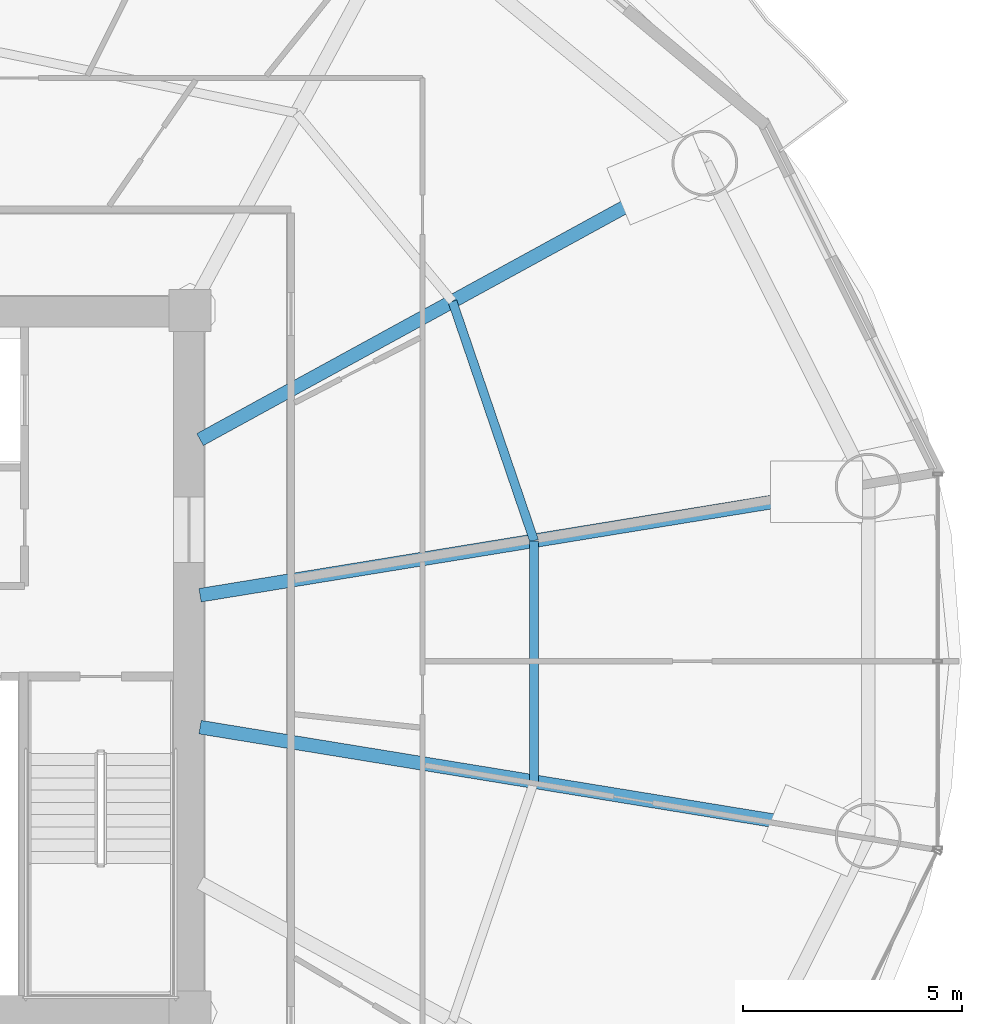
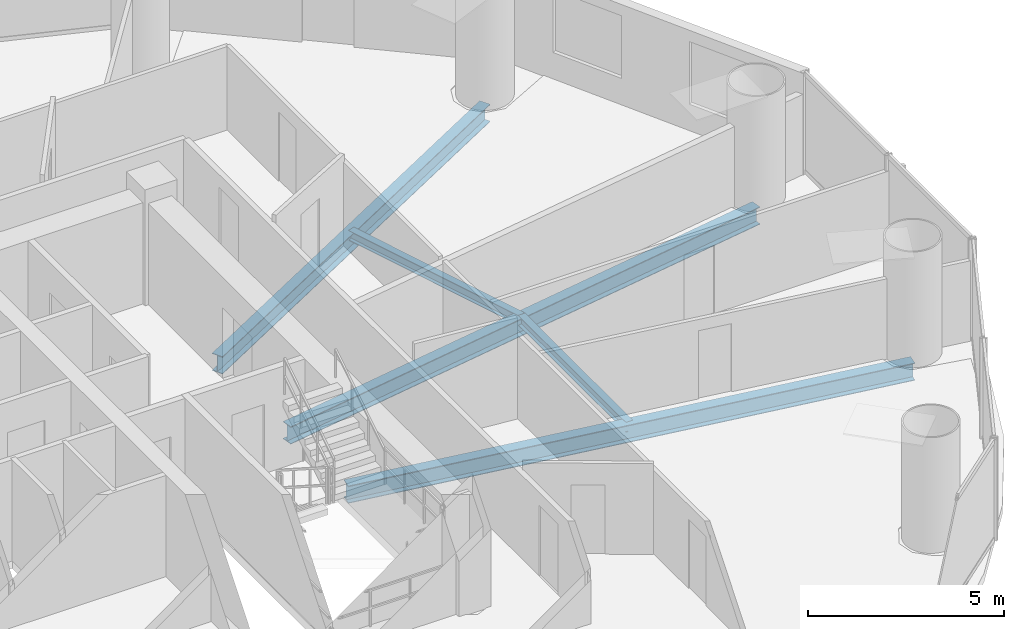
# One storey, part 14 of 29: 5 beams.
"""IFC4 building model written with IfcOpenShell, lengths in metres."""

from ifc_helpers import new_model, si_unit, direction, frame, origin, origin_2d, place, context, subcontext, project, spatial, i_section, extrude, material, material_profile, profile_set, type_object, element, save


model = new_model("IFC4")

# Units and contexts
model_context = context("Model", 3, precision=1e-05, world=origin(), true_north=direction((-0.2419218956, 0.970295726276)))
body_context = subcontext(model_context, "Body", "Model", "MODEL_VIEW")
ifc_project = project(units=[si_unit("LENGTHUNIT", "METRE"), si_unit("AREAUNIT", "SQUARE_METRE"), si_unit("VOLUMEUNIT", "CUBIC_METRE"), si_unit("PLANEANGLEUNIT", "RADIAN"), si_unit("MASSUNIT", "GRAM", prefix="KILO")], contexts=[model_context])

# Site, building, storey
site_placement = place(None, origin())
site = spatial("IfcSite", under=ifc_project, at=site_placement, CompositionType="ELEMENT")
building_placement = place(site_placement, origin())
building = spatial("IfcBuilding", under=site, at=building_placement, Name="Cobrevalo Terracotta Tower", CompositionType="ELEMENT")
storey_placement = place(building_placement, frame((0.0, 0.0, 126.60009765625)))
storey = spatial("IfcBuildingStorey", under=building, at=storey_placement, Name="L33", CompositionType="ELEMENT", Elevation=126.60009765625)

# Beams
ifc_material = material(Name="Steel S355", Category="steel")
ifc_material_profile_1 = material_profile(ifc_material, i_section(OverallWidth=0.31201171875, OverallDepth=0.54296875, WebThickness=0.0126953125, FlangeThickness=0.020263671875, at=origin_2d()), Name="W 530x150")
ifc_profile_set_1 = profile_set([ifc_material_profile_1], Name="Steel S355")
beam_type_1 = type_object("IfcBeamType", Name="Structural Beam W 530x150 (Steel S355)", PredefinedType="BEAM", material=ifc_profile_set_1)
beam_1_placement = place(storey_placement, frame((62.470703125, 30.78955078125, -0.546630859375), z_axis=(-0.986970567439, -0.160900898101, 0.0), x_axis=(0.160900898101, -0.986970567439, 0.0)))
element("IfcBeam", 1, at=beam_1_placement, inside=storey, type_object=beam_type_1, Name="L33 radial floor girder 01", PredefinedType="BEAM", context=body_context, shape_type="SweptSolid", body=[
    extrude(i_section(OverallWidth=0.31201171875, OverallDepth=0.54296875, WebThickness=0.0126953125, FlangeThickness=0.020263671875, at=origin_2d()), origin(), (0.0, 0.0, 1.0), 15.44189453125),
])
beam_2_placement = place(storey_placement, frame((58.7451171875, 38.161376953125, -0.546630859375), z_axis=(-0.877080599376, -0.480343233738, 0.0), x_axis=(0.480343233738, -0.877080599376, 0.0)))
element("IfcBeam", 2, at=beam_2_placement, inside=storey, type_object=beam_type_1, Name="L33 radial floor girder 02", PredefinedType="BEAM", context=body_context, shape_type="SweptSolid", body=[
    extrude(i_section(OverallWidth=0.31201171875, OverallDepth=0.54296875, WebThickness=0.0126953125, FlangeThickness=0.020263671875, at=origin_2d()), origin(), (0.0, 0.0, 1.0), 13.12890625),
])
beam_3_placement = place(storey_placement, frame((62.470703125, 22.810302734375, -0.546630859375), z_axis=(-0.986968056587, 0.160916298977, 0.0), x_axis=(-0.160916298977, -0.986968056587, 0.0)))
element("IfcBeam", 3, at=beam_3_placement, inside=storey, type_object=beam_type_1, Name="L33 radial floor girder 16", PredefinedType="BEAM", context=body_context, shape_type="SweptSolid", body=[
    extrude(i_section(OverallWidth=0.31201171875, OverallDepth=0.54296875, WebThickness=0.0126953125, FlangeThickness=0.020263671875, at=origin_2d()), origin(), (0.0, 0.0, 1.0), 15.44189453125),
])
ifc_material_profile_2 = material_profile(ifc_material, i_section(OverallWidth=0.2041015625, OverallDepth=0.305908203125, WebThickness=0.008544921875, FlangeThickness=0.0146484375, at=origin_2d()), Name="W 310x67")
ifc_profile_set_2 = profile_set([ifc_material_profile_2], Name="Steel S355")
beam_type_2 = type_object("IfcBeamType", Name="Structural Joist W 310x67 (Steel S355)", PredefinedType="JOIST", material=ifc_profile_set_2)
beam_4_placement = place(storey_placement, frame((54.850341796875, 29.547119140625, -0.427978515625), z_axis=(-0.322833299398, 0.94645584197, 0.0), x_axis=(-0.94645584197, -0.322833299398, 0.0)))
element("IfcBeam", 4, at=beam_4_placement, inside=storey, type_object=beam_type_2, Name="L33 circumferential secondary floor joist 01", PredefinedType="JOIST", context=body_context, shape_type="SweptSolid", body=[
    extrude(i_section(OverallWidth=0.2041015625, OverallDepth=0.305908203125, WebThickness=0.008544921875, FlangeThickness=0.0146484375, at=origin_2d()), origin(), (0.0, 0.0, 1.0), 5.77001953125),
])
beam_5_placement = place(storey_placement, frame((54.850341796875, 24.052734375, -0.427978515625), z_axis=(0.0, 1.0, 0.0), x_axis=(-1.0, 0.0, 0.0)))
element("IfcBeam", 5, at=beam_5_placement, inside=storey, type_object=beam_type_2, Name="L33 circumferential secondary floor joist 16", PredefinedType="JOIST", context=body_context, shape_type="SweptSolid", body=[
    extrude(i_section(OverallWidth=0.2041015625, OverallDepth=0.305908203125, WebThickness=0.008544921875, FlangeThickness=0.0146484375, at=origin_2d()), origin(), (0.0, 0.0, 1.0), 5.494384765625),
])

save(model, "model.ifc")
